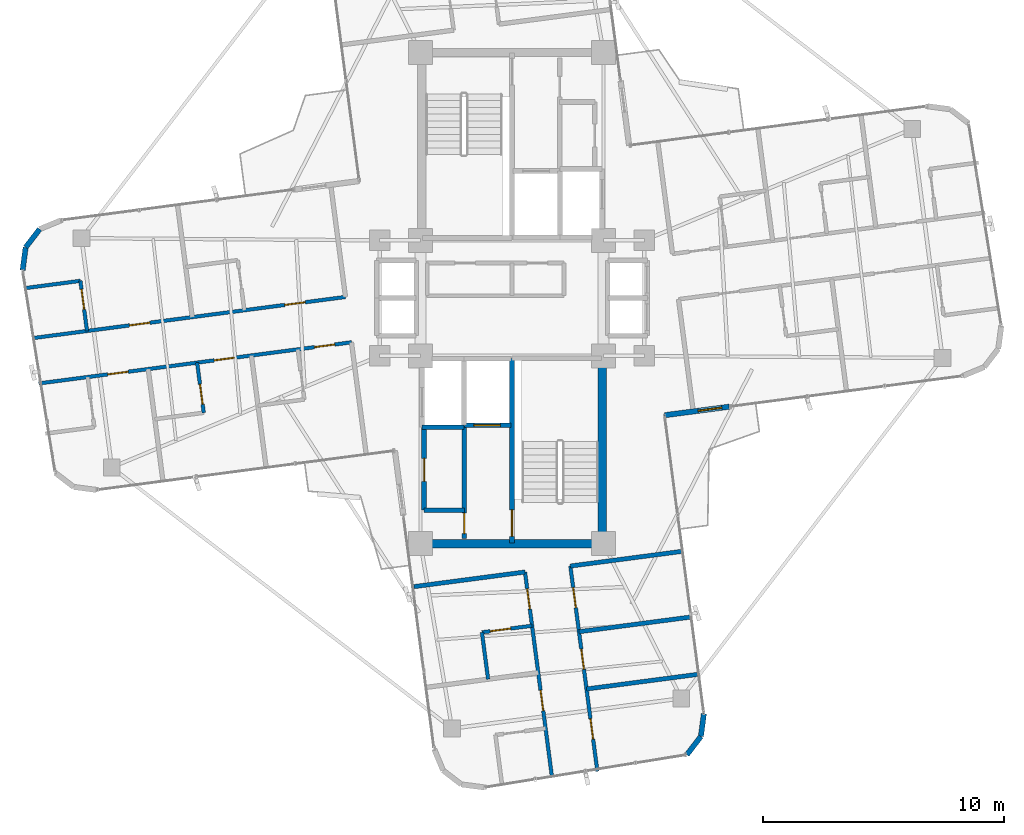
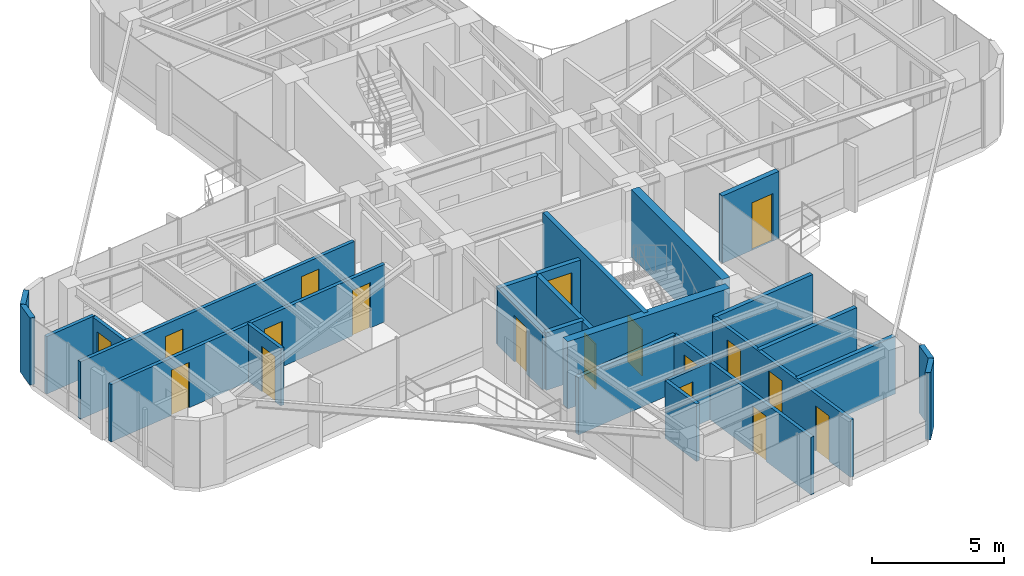
# One storey, part 18 of 22: 26 walls, 18 doors, 18 openings.
"""IFC4 building model written with IfcOpenShell, lengths in metres."""

from ifc_helpers import new_model, si_unit, direction, frame, frame_2d, origin, origin_2d, place, context, subcontext, project, spatial, rectangle, extrude, source, transform, mapped, material, layer, layer_set, type_object, element, fill, save


model = new_model("IFC4")

# Units and contexts
model_context = context("Model", 3, precision=1e-05, world=origin(), true_north=direction((0.0, 1.0)))
body_context = subcontext(model_context, "Body", "Model", "MODEL_VIEW")
ifc_project = project(units=[si_unit("LENGTHUNIT", "METRE"), si_unit("AREAUNIT", "SQUARE_METRE"), si_unit("VOLUMEUNIT", "CUBIC_METRE"), si_unit("PLANEANGLEUNIT", "RADIAN"), si_unit("MASSUNIT", "GRAM", prefix="KILO")], contexts=[model_context])

# Site, building, storey
site_placement = place(None, origin())
site = spatial("IfcSite", under=ifc_project, at=site_placement, CompositionType="ELEMENT")
building_placement = place(site_placement, origin())
building = spatial("IfcBuilding", under=site, at=building_placement, Name="Sahyath Konkavel Grand Hotel", CompositionType="ELEMENT")
storey_placement = place(building_placement, frame((0.0, 0.0, 206.5)))
storey = spatial("IfcBuildingStorey", under=building, at=storey_placement, Name="L57", CompositionType="ELEMENT", Elevation=206.5)

# Walls
ifc_material_1 = material(Name="Concrete C40/50", Category="concrete")
ifc_layer_1 = layer(ifc_material_1, 0.35009765625)
ifc_layer_set_1 = layer_set([ifc_layer_1], Name="Concrete C40/50")
wall_type_1 = type_object("IfcWallType", Name="CWALL-350", PredefinedType="SHEAR", material=ifc_layer_set_1)
wall_1_placement = place(storey_placement, frame((-3.550048828125, -10.199951171875, 0.0), z_axis=(0.0, 0.0, 1.0), x_axis=(1.0, 0.0, 0.0)))
element("IfcWall", 1, at=wall_1_placement, inside=storey, type_object=wall_type_1, Name="L57 South Core Shear Wall S", PredefinedType="SHEAR", context=body_context, shape_type="SweptSolid", body=[
    extrude(rectangle(XDim=7.10009765625, YDim=0.35009765625, at=frame_2d((3.550048828125, 0.0))), origin(), (0.0, 0.0, 1.0), 3.110107421875),
])
wall_2_placement = place(storey_placement, frame((3.739990234375, -9.75, 0.0), z_axis=(0.0, 0.0, 1.0), x_axis=(0.0, 1.0, 0.0)))
element("IfcWall", 2, at=wall_2_placement, inside=storey, type_object=wall_type_1, Name="L57 South Core Shear Wall E", PredefinedType="SHEAR", context=body_context, shape_type="SweptSolid", body=[
    extrude(rectangle(XDim=6.89990234375, YDim=0.35009765625, at=frame_2d((3.449951171875, 0.0))), origin(), (0.0, 0.0, 1.0), 3.110107421875),
])

# Wall, opening, door
ifc_material_2 = material(Name="Warm Buff Sandstone Insulated Concrete C40/50", Category="masonry")
ifc_layer_2 = layer(ifc_material_2, 0.219970703125)
ifc_layer_set_2 = layer_set([ifc_layer_2], Name="Warm Buff Sandstone Insulated Concrete C40/50")
wall_type_2 = type_object("IfcWallType", Name="WLL-BALC-THRESH", PredefinedType="STANDARD", material=ifc_layer_set_2)
wall_3_placement = place(storey_placement, frame((6.339111328125, -4.8642578125, 0.0), z_axis=(0.0, 0.0, 1.0), x_axis=(0.991439824936, 0.130564442062, 0.0)))
wall_3 = element("IfcWall", 3, at=wall_3_placement, inside=storey, type_object=wall_type_2, Name="L57 Winter-Garden Threshold Wall 0", PredefinedType="STANDARD", context=body_context, shape_type="SweptSolid", body=[
    extrude(rectangle(XDim=2.7001953125, YDim=0.219970703125, at=frame_2d((1.35009765625, 0.0))), origin(), (0.0, 0.0, 1.0), 3.110107421875),
])
opening_1_placement = place(wall_3_placement, frame((1.39990234375, 0.0, 0.0)))
opening_1 = element("IfcOpeningElement", 4, at=opening_1_placement, cuts=wall_3, Name="Opening D-TR1", PredefinedType="OPENING", context=body_context, shape_type="SweptSolid", body=[
    extrude(rectangle(XDim=1.0, YDim=2.199951171875, at=frame_2d((0.5, 1.10009765625))), frame((0.0, 0.1201171875, 0.0), z_axis=(0.0, -1.0, 0.0), x_axis=(1.0, 0.0, 0.0)), (0.0, 0.0, 1.0), 0.239990234375),
])
ifc_material_3 = material(Name="Anodised Bronze Aluminium & Low-E Glazing", Category="aluminium")
door_type_1 = type_object("IfcDoorType", Name="DR-TERRACE-1000", OperationType="NOTDEFINED", PredefinedType="DOOR", material=ifc_material_3)
shared_shape_1 = source(origin(), body_context, "Body", "SweptSolid", [
    extrude(rectangle(XDim=1.0, YDim=0.050048828125, at=origin_2d()), origin(), (0.0, 0.0, 1.0), 2.199951171875),
])
door_1_placement = place(opening_1_placement, frame((0.5, 0.0, 0.0)))
door_1 = element("IfcDoor", 5, at=door_1_placement, inside=storey, type_object=door_type_1, Name="L57 Winter-Garden Terrace Door 0", OperationType="SINGLE_SWING_LEFT", OverallHeight=2.199951171875, OverallWidth=1.0, PredefinedType="DOOR", context=body_context, shape_type="MappedRepresentation", body=[
    mapped(shared_shape_1, transform((0.0, 0.0, 0.0), scale=1.0)),
])
fill(opening_1, door_1)

# Walls
for number, where, z_axis, x_axis, name in (
    (6, (-19.616943359375, 2.8662109375, 0.0), (0.0, 0.0, 1.0), (-0.608774010809, -0.793343685778, 0.0), "L57 Rounded Corner Sandstone Pier 18"),
    (7, (-20.199951171875, 2.1064453125, 0.0), (0.0, 0.0, 1.0), (-0.130527053476, -0.991444747987, 0.0), "L57 Rounded Corner Sandstone Pier 19"),
):
    element("IfcWall", number, at=place(storey_placement, frame(where, z_axis=z_axis, x_axis=x_axis)), inside=storey, type_object=wall_type_2, Name=name, PredefinedType="STANDARD", context=body_context, shape_type="SweptSolid", body=[
        extrude(rectangle(XDim=0.957763671875, YDim=0.219970703125, at=frame_2d((0.47900390625, 0.0))), origin(), (0.0, 0.0, 1.0), 3.110107421875),
    ])
wall_4_placement = place(storey_placement, frame((7.2626953125, -18.96630859375, 0.0), z_axis=(0.0, 0.0, 1.0), x_axis=(0.608897151398, 0.793249178392, 0.0)))
element("IfcWall", 8, at=wall_4_placement, inside=storey, type_object=wall_type_2, Name="L57 Rounded Corner Sandstone Pier 29", PredefinedType="STANDARD", context=body_context, shape_type="SweptSolid", body=[
    extrude(rectangle(XDim=0.95751953125, YDim=0.219970703125, at=frame_2d((0.478759765625, 0.0))), origin(), (0.0, 0.0, 1.0), 3.110107421875),
])
wall_5_placement = place(storey_placement, frame((7.845703125, -18.206787109375, 0.0), z_axis=(0.0, 0.0, 1.0), x_axis=(0.130527053476, 0.991444747987, 0.0)))
element("IfcWall", 9, at=wall_5_placement, inside=storey, type_object=wall_type_2, Name="L57 Rounded Corner Sandstone Pier 30", PredefinedType="STANDARD", context=body_context, shape_type="SweptSolid", body=[
    extrude(rectangle(XDim=0.957763671875, YDim=0.219970703125, at=frame_2d((0.47900390625, 0.0))), origin(), (0.0, 0.0, 1.0), 3.110107421875),
])

# Wall, opening, door
ifc_layer_3 = layer(ifc_material_1, 0.199951171875)
ifc_layer_set_3 = layer_set([ifc_layer_3], Name="Concrete C40/50")
wall_type_3 = type_object("IfcWallType", Name="WLL-CORE-200", PredefinedType="SOLIDWALL", material=ifc_layer_set_3)
wall_6_placement = place(storey_placement, frame((0.0, -10.179931640625, 0.0), z_axis=(0.0, 0.0, 1.0), x_axis=(0.0, 1.0, 0.0)))
wall_6 = element("IfcWall", 10, at=wall_6_placement, inside=storey, type_object=wall_type_3, Name="L57 Stair ST-2 Shaft Wall W", PredefinedType="SOLIDWALL", context=body_context, shape_type="SweptSolid", body=[
    extrude(rectangle(XDim=7.679931640625, YDim=0.199951171875, at=frame_2d((3.83984375, 0.0))), origin(), (0.0, 0.0, 1.0), 3.110107421875),
])
opening_2_placement = place(wall_6_placement, frame((0.280029296875, 0.0, 0.0)))
opening_2 = element("IfcOpeningElement", 11, at=opening_2_placement, cuts=wall_6, Name="Opening D-F12B", PredefinedType="OPENING", context=body_context, shape_type="SweptSolid", body=[
    extrude(rectangle(XDim=1.10009765625, YDim=2.14990234375, at=frame_2d((0.550048828125, 1.074951171875))), frame((0.0, 0.10986328125, 0.0), z_axis=(0.0, -1.0, 0.0), x_axis=(1.0, 0.0, 0.0)), (0.0, 0.0, 1.0), 0.219970703125),
])
ifc_material_4 = material(Name="Steel E350 Smokeproof Fire Door", Category="steel")
door_type_2 = type_object("IfcDoorType", Name="DR-FD120-1100", OperationType="NOTDEFINED", PredefinedType="DOOR", material=ifc_material_4)
shared_shape_2 = source(origin(), body_context, "Body", "SweptSolid", [
    extrude(rectangle(XDim=1.10009765625, YDim=0.050048828125, at=origin_2d()), origin(), (0.0, 0.0, 1.0), 2.14990234375),
])
door_2_placement = place(opening_2_placement, frame((0.550048828125, 0.0, 0.0)))
door_2 = element("IfcDoor", 12, at=door_2_placement, inside=storey, type_object=door_type_2, Name="L57 Stair ST-2 Fire Door", OperationType="SINGLE_SWING_RIGHT", OverallHeight=2.14990234375, OverallWidth=1.10009765625, PredefinedType="DOOR", context=body_context, shape_type="MappedRepresentation", body=[
    mapped(shared_shape_2, transform((0.0, 0.0, 0.0), scale=1.0)),
])
fill(opening_2, door_2)

wall_7_placement = place(storey_placement, frame((-1.97998046875, -9.97998046875, 0.0), z_axis=(0.0, 0.0, 1.0), x_axis=(0.0, 1.0, 0.0)))
wall_7 = element("IfcWall", 13, at=wall_7_placement, inside=storey, type_object=wall_type_3, Name="L57 South Firefighting Lobby Wall W", PredefinedType="SOLIDWALL", context=body_context, shape_type="SweptSolid", body=[
    extrude(rectangle(XDim=4.659912109375, YDim=0.199951171875, at=frame_2d((2.330078125, 0.0))), origin(), (0.0, 0.0, 1.0), 2.659912109375),
])
opening_3_placement = place(wall_7_placement, frame((0.199951171875, 0.0, 0.0)))
opening_3 = element("IfcOpeningElement", 14, at=opening_3_placement, cuts=wall_7, Name="Opening D-F12D", PredefinedType="OPENING", context=body_context, shape_type="SweptSolid", body=[
    extrude(rectangle(XDim=0.85009765625, YDim=2.10009765625, at=frame_2d((0.425048828125, 1.050048828125))), frame((0.0, 0.10986328125, 0.0), z_axis=(0.0, -1.0, 0.0), x_axis=(1.0, 0.0, 0.0)), (0.0, 0.0, 1.0), 0.219970703125),
])
ifc_material_5 = material(Name="Steel E350 Core Fire Door", Category="steel")
door_type_3 = type_object("IfcDoorType", Name="DR-FD120-850", OperationType="NOTDEFINED", PredefinedType="DOOR", material=ifc_material_5)
shared_shape_3 = source(origin(), body_context, "Body", "SweptSolid", [
    extrude(rectangle(XDim=0.85009765625, YDim=0.050048828125, at=origin_2d()), origin(), (0.0, 0.0, 1.0), 2.10009765625),
])
door_3_placement = place(opening_3_placement, frame((0.425048828125, 0.0, 0.0)))
door_3 = element("IfcDoor", 15, at=door_3_placement, inside=storey, type_object=door_type_3, Name="L57 South Firefighting Lobby Door", OperationType="SINGLE_SWING_RIGHT", OverallHeight=2.10009765625, OverallWidth=0.85009765625, PredefinedType="DOOR", context=body_context, shape_type="MappedRepresentation", body=[
    mapped(shared_shape_3, transform((0.0, 0.0, 0.0), scale=1.0)),
])
fill(opening_3, door_3)

wall_8_placement = place(storey_placement, frame((-1.97998046875, -5.280029296875, 0.0), z_axis=(0.0, 0.0, 1.0), x_axis=(1.0, 0.0, 0.0)))
wall_8 = element("IfcWall", 16, at=wall_8_placement, inside=storey, type_object=wall_type_3, Name="L57 Partition SH-FFL2-S", PredefinedType="SOLIDWALL", context=body_context, shape_type="SweptSolid", body=[
    extrude(rectangle(XDim=1.929931640625, YDim=0.199951171875, at=frame_2d((0.96484375, 0.0))), origin(), (0.0, 0.0, 1.0), 2.659912109375),
])
opening_4_placement = place(wall_8_placement, frame((0.39990234375, 0.0, 0.0)))
opening_4 = element("IfcOpeningElement", 17, at=opening_4_placement, cuts=wall_8, Name="Opening LD-11", PredefinedType="OPENING", context=body_context, shape_type="SweptSolid", body=[
    extrude(rectangle(XDim=1.10009765625, YDim=2.199951171875, at=frame_2d((0.550048828125, 1.10009765625))), frame((0.0, 0.10986328125, 0.0), z_axis=(0.0, -1.0, 0.0), x_axis=(1.0, 0.0, 0.0)), (0.0, 0.0, 1.0), 0.219970703125),
])
ifc_material_6 = material(Name="Bronze Lift Landing Door 1100")
door_type_4 = type_object("IfcDoorType", Name="DR-LIFT-1100", OperationType="DOUBLE_DOOR_SLIDING", PredefinedType="DOOR", material=ifc_material_6)
shared_shape_4 = source(origin(), body_context, "Body", "SweptSolid", [
    extrude(rectangle(XDim=1.10009765625, YDim=0.050048828125, at=origin_2d()), origin(), (0.0, 0.0, 1.0), 2.199951171875),
])
door_4_placement = place(opening_4_placement, frame((0.550048828125, 0.0, 0.0)))
door_4 = element("IfcDoor", 18, at=door_4_placement, inside=storey, type_object=door_type_4, Name="L57 Lift FFL-2 Landing Door", OperationType="DOUBLE_DOOR_SLIDING", OverallHeight=2.199951171875, OverallWidth=1.10009765625, PredefinedType="DOOR", context=body_context, shape_type="MappedRepresentation", body=[
    mapped(shared_shape_4, transform((0.0, 0.0, 0.0), scale=1.0)),
])
fill(opening_4, door_4)

# Wall
wall_9_placement = place(storey_placement, frame((-3.739990234375, -5.360107421875, 0.0), z_axis=(0.0, 0.0, 1.0), x_axis=(1.0, 0.0, 0.0)))
element("IfcWall", 19, at=wall_9_placement, inside=storey, type_object=wall_type_3, Name="L57 Partition SH-SVL2-S", PredefinedType="SOLIDWALL", context=body_context, shape_type="SweptSolid", body=[
    extrude(rectangle(XDim=1.739990234375, YDim=0.199951171875, at=frame_2d((0.8701171875, 0.0))), origin(), (0.0, 0.0, 1.0), 2.659912109375),
])

# Wall, opening, door
wall_10_placement = place(storey_placement, frame((-3.64990234375, -8.81005859375, 0.0), z_axis=(0.0, 0.0, 1.0), x_axis=(0.0, 1.0, 0.0)))
wall_10 = element("IfcWall", 20, at=wall_10_placement, inside=storey, type_object=wall_type_3, Name="L57 Reclaimed South Core Wall W", PredefinedType="SOLIDWALL", context=body_context, shape_type="SweptSolid", body=[
    extrude(rectangle(XDim=3.43017578125, YDim=0.199951171875, at=frame_2d((1.715087890625, 0.0))), origin(), (0.0, 0.0, 1.0), 2.659912109375),
])
opening_5_placement = place(wall_10_placement, frame((1.199951171875, 0.0, 0.0)))
opening_5 = element("IfcOpeningElement", 21, at=opening_5_placement, cuts=wall_10, Name="Opening D-AC95", PredefinedType="OPENING", context=body_context, shape_type="SweptSolid", body=[
    extrude(rectangle(XDim=0.949951171875, YDim=2.14990234375, at=frame_2d((0.47509765625, 1.074951171875))), frame((0.0, 0.10986328125, 0.0), z_axis=(0.0, -1.0, 0.0), x_axis=(1.0, 0.0, 0.0)), (0.0, 0.0, 1.0), 0.219970703125),
])
ifc_material_7 = material(Name="Accessible Washroom Timber Door", Category="wood")
door_type_5 = type_object("IfcDoorType", Name="DR-ACC-950", OperationType="NOTDEFINED", PredefinedType="DOOR", material=ifc_material_7)
shared_shape_5 = source(origin(), body_context, "Body", "SweptSolid", [
    extrude(rectangle(XDim=0.949951171875, YDim=0.050048828125, at=origin_2d()), origin(), (0.0, 0.0, 1.0), 2.14990234375),
])
door_5_placement = place(opening_5_placement, frame((0.47509765625, 0.0, 0.0)))
door_5 = element("IfcDoor", 22, at=door_5_placement, inside=storey, type_object=door_type_5, Name="L57 Door SC-REC1-D", OperationType="SINGLE_SWING_RIGHT", OverallHeight=2.14990234375, OverallWidth=0.949951171875, PredefinedType="DOOR", context=body_context, shape_type="MappedRepresentation", body=[
    mapped(shared_shape_5, transform((0.0, 0.0, 0.0), scale=1.0)),
])
fill(opening_5, door_5)

# Walls
wall_11_placement = place(storey_placement, frame((-3.64990234375, -8.81005859375, 0.0), z_axis=(0.0, 0.0, 1.0), x_axis=(1.0, 0.0, 0.0)))
element("IfcWall", 23, at=wall_11_placement, inside=storey, type_object=wall_type_3, Name="L57 Partition SC-REC-S", PredefinedType="SOLIDWALL", context=body_context, shape_type="SweptSolid", body=[
    extrude(rectangle(XDim=1.669921875, YDim=0.199951171875, at=frame_2d((0.8349609375, 0.0))), origin(), (0.0, 0.0, 1.0), 2.659912109375),
])
ifc_material_8 = material(Name="Twin-Stud Acoustic Gypsum Plasterboard Partition")
ifc_layer_4 = layer(ifc_material_8, 0.179931640625)
ifc_layer_set_4 = layer_set([ifc_layer_4], Name="Twin-Stud Acoustic Gypsum Plasterboard Partition")
wall_type_4 = type_object("IfcWallType", Name="WLL-DEMISE-180", PredefinedType="PARTITIONING", material=ifc_layer_set_4)
wall_12_placement = place(storey_placement, frame((2.42333984375, -11.12890625, 0.0), z_axis=(0.0, 0.0, 1.0), x_axis=(0.991445715827, 0.13051970184, 0.0)))
element("IfcWall", 24, at=wall_12_placement, inside=storey, type_object=wall_type_4, Name="L57 Partition S-INL", PredefinedType="PARTITIONING", context=body_context, shape_type="SweptSolid", body=[
    extrude(rectangle(XDim=4.650146484375, YDim=0.179931640625, at=frame_2d((2.3251953125, 0.0))), origin(), (0.0, 0.0, 1.0), 2.659912109375),
])
for number, where, z_axis, x_axis, name in (
    (25, (-4.070556640625, -11.98388671875, 0.0), (0.0, 0.0, 1.0), (0.991444821367, 0.130526496103, 0.0), "L57 Partition S-INR"),
    (26, (2.78271484375, -13.857421875, 0.0), (0.0, 0.0, 1.0), (0.991444821367, 0.130526496103, 0.0), "L57 Partition S-S1L-DEM"),
    (27, (3.095703125, -16.23486328125, 0.0), (0.0, 0.0, 1.0), (0.991444821367, 0.130526496103, 0.0), "L57 Partition S-S2L-DEM"),
):
    element("IfcWall", number, at=place(storey_placement, frame(where, z_axis=z_axis, x_axis=x_axis)), inside=storey, type_object=wall_type_4, Name=name, PredefinedType="PARTITIONING", context=body_context, shape_type="SweptSolid", body=[
        extrude(rectangle(XDim=4.64990234375, YDim=0.179931640625, at=frame_2d((2.324951171875, 0.0))), origin(), (0.0, 0.0, 1.0), 2.659912109375),
    ])

# Wall, openings, doors
ifc_material_9 = material(Name="Fire-Rated Gypsum Plasterboard Partition")
ifc_layer_5 = layer(ifc_material_9, 0.14990234375)
ifc_layer_set_5 = layer_set([ifc_layer_5], Name="Fire-Rated Gypsum Plasterboard Partition")
wall_type_5 = type_object("IfcWallType", Name="WLL-PART-150", PredefinedType="PARTITIONING", material=ifc_layer_set_5)
wall_13_placement = place(storey_placement, frame((-6.66748046875, -1.8359375, 0.0), z_axis=(0.0, 0.0, 1.0), x_axis=(-0.991444016182, -0.130532611928, 0.0)))
wall_13 = element("IfcWall", 28, at=wall_13_placement, inside=storey, type_object=wall_type_5, Name="L57 Partition W-CL", PredefinedType="PARTITIONING", context=body_context, shape_type="SweptSolid", body=[
    extrude(rectangle(XDim=13.099853515625, YDim=0.14990234375, at=frame_2d((6.5498046875, 0.0))), origin(), (0.0, 0.0, 1.0), 2.659912109375),
])
opening_6_placement = place(wall_13_placement, frame((0.699951171875, 0.0, 0.0)))
opening_6 = element("IfcOpeningElement", 29, at=opening_6_placement, cuts=wall_13, Name="Opening D-F06D", PredefinedType="OPENING", context=body_context, shape_type="SweptSolid", body=[
    extrude(rectangle(XDim=0.85009765625, YDim=2.10009765625, at=frame_2d((0.425048828125, 1.050048828125))), frame((0.0, 0.0849609375, 0.0), z_axis=(0.0, -1.0, 0.0), x_axis=(1.0, 0.0, 0.0)), (0.0, 0.0, 1.0), 0.169921875),
])
opening_7_placement = place(wall_13_placement, frame((4.904052734375, 0.0, 0.0)))
opening_7 = element("IfcOpeningElement", 30, at=opening_7_placement, cuts=wall_13, Name="Opening D-F06D", PredefinedType="OPENING", context=body_context, shape_type="SweptSolid", body=[
    extrude(rectangle(XDim=0.85009765625, YDim=2.10009765625, at=frame_2d((0.425048828125, 1.050048828125))), frame((0.0, 0.0849609375, 0.0), z_axis=(0.0, -1.0, 0.0), x_axis=(1.0, 0.0, 0.0)), (0.0, 0.0, 1.0), 0.169921875),
])
opening_8_placement = place(wall_13_placement, frame((9.35693359375, 0.0, 0.0)))
opening_8 = element("IfcOpeningElement", 31, at=opening_8_placement, cuts=wall_13, Name="Opening D-F06D", PredefinedType="OPENING", context=body_context, shape_type="SweptSolid", body=[
    extrude(rectangle(XDim=0.85009765625, YDim=2.10009765625, at=frame_2d((0.425048828125, 1.050048828125))), frame((0.0, 0.0849609375, 0.0), z_axis=(0.0, -1.0, 0.0), x_axis=(1.0, 0.0, 0.0)), (0.0, 0.0, 1.0), 0.169921875),
])
ifc_material_10 = material(Name="Fire-Rated Shaft Access Door")
door_type_6 = type_object("IfcDoorType", Name="DR-FD60-850", OperationType="NOTDEFINED", PredefinedType="DOOR", material=ifc_material_10)
door_6_placement = place(opening_6_placement, frame((0.425048828125, 0.0, 0.0)))
door_6 = element("IfcDoor", 32, at=door_6_placement, inside=storey, type_object=door_type_6, Name="L57 Door W-W1L-ED", OperationType="SINGLE_SWING_LEFT", OverallHeight=2.10009765625, OverallWidth=0.85009765625, PredefinedType="DOOR", context=body_context, shape_type="MappedRepresentation", body=[
    mapped(shared_shape_3, transform((0.0, 0.0, 0.0), scale=1.0)),
])
fill(opening_6, door_6)
door_7_placement = place(opening_7_placement, frame((0.425048828125, 0.0, 0.0)))
door_7 = element("IfcDoor", 33, at=door_7_placement, inside=storey, type_object=door_type_6, Name="L57 Door W-W2L-ED", OperationType="SINGLE_SWING_LEFT", OverallHeight=2.10009765625, OverallWidth=0.85009765625, PredefinedType="DOOR", context=body_context, shape_type="MappedRepresentation", body=[
    mapped(shared_shape_3, transform((0.0, 0.0, 0.0), scale=1.0)),
])
fill(opening_7, door_7)
door_8_placement = place(opening_8_placement, frame((0.425048828125, 0.0, 0.0)))
door_8 = element("IfcDoor", 34, at=door_8_placement, inside=storey, type_object=door_type_6, Name="L57 Door W-W3L-ED", OperationType="SINGLE_SWING_LEFT", OverallHeight=2.10009765625, OverallWidth=0.85009765625, PredefinedType="DOOR", context=body_context, shape_type="MappedRepresentation", body=[
    mapped(shared_shape_3, transform((0.0, 0.0, 0.0), scale=1.0)),
])
fill(opening_8, door_8)

wall_14_placement = place(storey_placement, frame((-6.915283203125, 0.0478515625, 0.0), z_axis=(0.0, 0.0, 1.0), x_axis=(-0.991444333722, -0.130530200068, 0.0)))
wall_14 = element("IfcWall", 35, at=wall_14_placement, inside=storey, type_object=wall_type_5, Name="L57 Partition W-CR", PredefinedType="PARTITIONING", context=body_context, shape_type="SweptSolid", body=[
    extrude(rectangle(XDim=13.10009765625, YDim=0.14990234375, at=frame_2d((6.550048828125, 0.0))), origin(), (0.0, 0.0, 1.0), 2.659912109375),
])
opening_9_placement = place(wall_14_placement, frame((1.693115234375, 0.0, 0.0)))
opening_9 = element("IfcOpeningElement", 36, at=opening_9_placement, cuts=wall_14, Name="Opening D-F06D", PredefinedType="OPENING", context=body_context, shape_type="SweptSolid", body=[
    extrude(rectangle(XDim=0.85009765625, YDim=2.10009765625, at=frame_2d((0.425048828125, 1.050048828125))), frame((0.0, 0.0849609375, 0.0), z_axis=(0.0, -1.0, 0.0), x_axis=(1.0, 0.0, 0.0)), (0.0, 0.0, 1.0), 0.169921875),
])
opening_10_placement = place(wall_14_placement, frame((8.198974609375, 0.0, 0.0)))
opening_10 = element("IfcOpeningElement", 37, at=opening_10_placement, cuts=wall_14, Name="Opening D-F06D", PredefinedType="OPENING", context=body_context, shape_type="SweptSolid", body=[
    extrude(rectangle(XDim=0.85009765625, YDim=2.10009765625, at=frame_2d((0.425048828125, 1.050048828125))), frame((0.0, 0.0849609375, 0.0), z_axis=(0.0, -1.0, 0.0), x_axis=(1.0, 0.0, 0.0)), (0.0, 0.0, 1.0), 0.169921875),
])
door_9_placement = place(opening_9_placement, frame((0.425048828125, 0.0, 0.0)))
door_9 = element("IfcDoor", 38, at=door_9_placement, inside=storey, type_object=door_type_6, Name="L57 Door W-W1R-ED", OperationType="SINGLE_SWING_LEFT", OverallHeight=2.10009765625, OverallWidth=0.85009765625, PredefinedType="DOOR", context=body_context, shape_type="MappedRepresentation", body=[
    mapped(shared_shape_3, transform((0.0, 0.0, 0.0), scale=1.0)),
])
fill(opening_9, door_9)
door_10_placement = place(opening_10_placement, frame((0.425048828125, 0.0, 0.0)))
door_10 = element("IfcDoor", 39, at=door_10_placement, inside=storey, type_object=door_type_6, Name="L57 Door W-W2R-ED", OperationType="SINGLE_SWING_LEFT", OverallHeight=2.10009765625, OverallWidth=0.85009765625, PredefinedType="DOOR", context=body_context, shape_type="MappedRepresentation", body=[
    mapped(shared_shape_3, transform((0.0, 0.0, 0.0), scale=1.0)),
])
fill(opening_10, door_10)

# Wall, opening, door
wall_15_placement = place(storey_placement, frame((-13.0771484375, -2.6796875, 0.0), z_axis=(0.0, 0.0, 1.0), x_axis=(0.130541714651, -0.991442817683, 0.0)))
wall_15 = element("IfcWall", 40, at=wall_15_placement, inside=storey, type_object=wall_type_5, Name="L57 Partition W-W2L-BS", PredefinedType="PARTITIONING", context=body_context, shape_type="SweptSolid", body=[
    extrude(rectangle(XDim=2.100341796875, YDim=0.14990234375, at=frame_2d((1.05029296875, 0.0))), origin(), (0.0, 0.0, 1.0), 2.659912109375),
])
opening_11_placement = place(wall_15_placement, frame((0.89990234375, 0.0, 0.0)))
opening_11 = element("IfcOpeningElement", 41, at=opening_11_placement, cuts=wall_15, Name="Opening D-BT85", PredefinedType="OPENING", context=body_context, shape_type="SweptSolid", body=[
    extrude(rectangle(XDim=0.85009765625, YDim=2.10009765625, at=frame_2d((0.425048828125, 1.050048828125))), frame((0.0, 0.0849609375, 0.0), z_axis=(0.0, -1.0, 0.0), x_axis=(1.0, 0.0, 0.0)), (0.0, 0.0, 1.0), 0.169921875),
])
ifc_material_11 = material(Name="Moisture-Resistant Teak Bathroom Door")
door_type_7 = type_object("IfcDoorType", Name="DR-BATH-850", OperationType="NOTDEFINED", PredefinedType="DOOR", material=ifc_material_11)
door_11_placement = place(opening_11_placement, frame((0.425048828125, 0.0, 0.0)))
door_11 = element("IfcDoor", 42, at=door_11_placement, inside=storey, type_object=door_type_7, Name="L57 Door W-W2L-BD", OperationType="SINGLE_SWING_RIGHT", OverallHeight=2.10009765625, OverallWidth=0.85009765625, PredefinedType="DOOR", context=body_context, shape_type="MappedRepresentation", body=[
    mapped(shared_shape_3, transform((0.0, 0.0, 0.0), scale=1.0)),
])
fill(opening_11, door_11)

wall_16_placement = place(storey_placement, frame((-17.65087890625, -1.365478515625, 0.0), z_axis=(0.0, 0.0, 1.0), x_axis=(-0.13044248305, 0.9914558783, 0.0)))
wall_16 = element("IfcWall", 43, at=wall_16_placement, inside=storey, type_object=wall_type_5, Name="L57 Partition W-W2R-BS", PredefinedType="PARTITIONING", context=body_context, shape_type="SweptSolid", body=[
    extrude(rectangle(XDim=2.099853515625, YDim=0.14990234375, at=frame_2d((1.0498046875, 0.0))), origin(), (0.0, 0.0, 1.0), 2.6298828125),
])
opening_12_placement = place(wall_16_placement, frame((0.89990234375, 0.0, 0.0)))
opening_12 = element("IfcOpeningElement", 44, at=opening_12_placement, cuts=wall_16, Name="Opening D-BT85", PredefinedType="OPENING", context=body_context, shape_type="SweptSolid", body=[
    extrude(rectangle(XDim=0.85009765625, YDim=2.10009765625, at=frame_2d((0.425048828125, 1.050048828125))), frame((0.0, 0.0849609375, 0.0), z_axis=(0.0, -1.0, 0.0), x_axis=(1.0, 0.0, 0.0)), (0.0, 0.0, 1.0), 0.169921875),
])
door_12_placement = place(opening_12_placement, frame((0.425048828125, 0.0, 0.0)))
door_12 = element("IfcDoor", 45, at=door_12_placement, inside=storey, type_object=door_type_7, Name="L57 Door W-W2R-BD", OperationType="SINGLE_SWING_RIGHT", OverallHeight=2.10009765625, OverallWidth=0.85009765625, PredefinedType="DOOR", context=body_context, shape_type="MappedRepresentation", body=[
    mapped(shared_shape_3, transform((0.0, 0.0, 0.0), scale=1.0)),
])
fill(opening_12, door_12)

# Wall
wall_17_placement = place(storey_placement, frame((-17.9248046875, 0.716552734375, 0.0), z_axis=(0.0, 0.0, 1.0), x_axis=(-0.991441490391, -0.130551794822, 0.0)))
element("IfcWall", 46, at=wall_17_placement, inside=storey, type_object=wall_type_5, Name="L57 Partition W-W2R-BF", PredefinedType="PARTITIONING", context=body_context, shape_type="SweptSolid", body=[
    extrude(rectangle(XDim=2.272216796875, YDim=0.14990234375, at=frame_2d((1.13623046875, 0.0))), origin(), (0.0, 0.0, 1.0), 2.659912109375),
])

# Wall, openings, doors
wall_18_placement = place(storey_placement, frame((2.42333984375, -11.12890625, 0.0), z_axis=(0.0, 0.0, 1.0), x_axis=(0.130530885115, -0.991444243531, 0.0)))
wall_18 = element("IfcWall", 47, at=wall_18_placement, inside=storey, type_object=wall_type_5, Name="L57 Partition S-CL", PredefinedType="PARTITIONING", context=body_context, shape_type="SweptSolid", body=[
    extrude(rectangle(XDim=8.599853515625, YDim=0.14990234375, at=frame_2d((4.2998046875, 0.0))), origin(), (0.0, 0.0, 1.0), 2.659912109375),
])
opening_13_placement = place(wall_18_placement, frame((0.90087890625, 0.0, 0.0)))
opening_13 = element("IfcOpeningElement", 48, at=opening_13_placement, cuts=wall_18, Name="Opening D-F06D", PredefinedType="OPENING", context=body_context, shape_type="SweptSolid", body=[
    extrude(rectangle(XDim=0.85009765625, YDim=2.10009765625, at=frame_2d((0.425048828125, 1.050048828125))), frame((0.0, 0.0849609375, 0.0), z_axis=(0.0, -1.0, 0.0), x_axis=(1.0, 0.0, 0.0)), (0.0, 0.0, 1.0), 0.169921875),
])
opening_14_placement = place(wall_18_placement, frame((3.47607421875, 0.0, 0.0)))
opening_14 = element("IfcOpeningElement", 49, at=opening_14_placement, cuts=wall_18, Name="Opening D-F06D", PredefinedType="OPENING", context=body_context, shape_type="SweptSolid", body=[
    extrude(rectangle(XDim=0.85009765625, YDim=2.10009765625, at=frame_2d((0.425048828125, 1.050048828125))), frame((0.0, 0.0849609375, 0.0), z_axis=(0.0, -1.0, 0.0), x_axis=(1.0, 0.0, 0.0)), (0.0, 0.0, 1.0), 0.169921875),
])
opening_15_placement = place(wall_18_placement, frame((6.39990234375, 0.0, 0.0)))
opening_15 = element("IfcOpeningElement", 50, at=opening_15_placement, cuts=wall_18, Name="Opening D-F06D", PredefinedType="OPENING", context=body_context, shape_type="SweptSolid", body=[
    extrude(rectangle(XDim=0.85009765625, YDim=2.10009765625, at=frame_2d((0.425048828125, 1.050048828125))), frame((0.0, 0.0849609375, 0.0), z_axis=(0.0, -1.0, 0.0), x_axis=(1.0, 0.0, 0.0)), (0.0, 0.0, 1.0), 0.169921875),
])
door_13_placement = place(opening_13_placement, frame((0.425048828125, 0.0, 0.0)))
door_13 = element("IfcDoor", 51, at=door_13_placement, inside=storey, type_object=door_type_6, Name="L57 Door S-S1L-D", OperationType="SINGLE_SWING_RIGHT", OverallHeight=2.10009765625, OverallWidth=0.85009765625, PredefinedType="DOOR", context=body_context, shape_type="MappedRepresentation", body=[
    mapped(shared_shape_3, transform((0.0, 0.0, 0.0), scale=1.0)),
])
fill(opening_13, door_13)
door_14_placement = place(opening_14_placement, frame((0.425048828125, 0.0, 0.0)))
door_14 = element("IfcDoor", 52, at=door_14_placement, inside=storey, type_object=door_type_6, Name="L57 Door S-S2L-D", OperationType="SINGLE_SWING_LEFT", OverallHeight=2.10009765625, OverallWidth=0.85009765625, PredefinedType="DOOR", context=body_context, shape_type="MappedRepresentation", body=[
    mapped(shared_shape_3, transform((0.0, 0.0, 0.0), scale=1.0)),
])
fill(opening_14, door_14)
door_15_placement = place(opening_15_placement, frame((0.425048828125, 0.0, 0.0)))
door_15 = element("IfcDoor", 53, at=door_15_placement, inside=storey, type_object=door_type_6, Name="L57 Door S-S3L-D", OperationType="SINGLE_SWING_RIGHT", OverallHeight=2.10009765625, OverallWidth=0.85009765625, PredefinedType="DOOR", context=body_context, shape_type="MappedRepresentation", body=[
    mapped(shared_shape_3, transform((0.0, 0.0, 0.0), scale=1.0)),
])
fill(opening_15, door_15)

wall_19_placement = place(storey_placement, frame((0.53955078125, -11.376953125, 0.0), z_axis=(0.0, 0.0, 1.0), x_axis=(0.130530885115, -0.991444243531, 0.0)))
wall_19 = element("IfcWall", 54, at=wall_19_placement, inside=storey, type_object=wall_type_5, Name="L57 Partition S-CR", PredefinedType="PARTITIONING", context=body_context, shape_type="SweptSolid", body=[
    extrude(rectangle(XDim=8.599853515625, YDim=0.14990234375, at=frame_2d((4.2998046875, 0.0))), origin(), (0.0, 0.0, 1.0), 2.659912109375),
])
opening_16_placement = place(wall_19_placement, frame((0.699951171875, 0.0, 0.0)))
opening_16 = element("IfcOpeningElement", 55, at=opening_16_placement, cuts=wall_19, Name="Opening D-F06D", PredefinedType="OPENING", context=body_context, shape_type="SweptSolid", body=[
    extrude(rectangle(XDim=0.85009765625, YDim=2.10009765625, at=frame_2d((0.425048828125, 1.050048828125))), frame((0.0, 0.0849609375, 0.0), z_axis=(0.0, -1.0, 0.0), x_axis=(1.0, 0.0, 0.0)), (0.0, 0.0, 1.0), 0.169921875),
])
opening_17_placement = place(wall_19_placement, frame((4.95703125, 0.0, 0.0)))
opening_17 = element("IfcOpeningElement", 56, at=opening_17_placement, cuts=wall_19, Name="Opening D-F06D", PredefinedType="OPENING", context=body_context, shape_type="SweptSolid", body=[
    extrude(rectangle(XDim=0.85009765625, YDim=2.10009765625, at=frame_2d((0.425048828125, 1.050048828125))), frame((0.0, 0.0849609375, 0.0), z_axis=(0.0, -1.0, 0.0), x_axis=(1.0, 0.0, 0.0)), (0.0, 0.0, 1.0), 0.169921875),
])
door_16_placement = place(opening_16_placement, frame((0.425048828125, 0.0, 0.0)))
door_16 = element("IfcDoor", 57, at=door_16_placement, inside=storey, type_object=door_type_6, Name="L57 Door S-S1R-ED", OperationType="SINGLE_SWING_RIGHT", OverallHeight=2.10009765625, OverallWidth=0.85009765625, PredefinedType="DOOR", context=body_context, shape_type="MappedRepresentation", body=[
    mapped(shared_shape_3, transform((0.0, 0.0, 0.0), scale=1.0)),
])
fill(opening_16, door_16)
door_17_placement = place(opening_17_placement, frame((0.425048828125, 0.0, 0.0)))
door_17 = element("IfcDoor", 58, at=door_17_placement, inside=storey, type_object=door_type_6, Name="L57 Door S-S2R-ED", OperationType="SINGLE_SWING_RIGHT", OverallHeight=2.10009765625, OverallWidth=0.85009765625, PredefinedType="DOOR", context=body_context, shape_type="MappedRepresentation", body=[
    mapped(shared_shape_3, transform((0.0, 0.0, 0.0), scale=1.0)),
])
fill(opening_17, door_17)

# Wall, opening, door
wall_20_placement = place(storey_placement, frame((0.833251953125, -13.607666015625, 0.0), z_axis=(0.0, 0.0, 1.0), x_axis=(-0.991440836415, -0.130556761174, 0.0)))
wall_20 = element("IfcWall", 59, at=wall_20_placement, inside=storey, type_object=wall_type_5, Name="L57 Partition S-S1R-BS", PredefinedType="PARTITIONING", context=body_context, shape_type="SweptSolid", body=[
    extrude(rectangle(XDim=2.10009765625, YDim=0.14990234375, at=frame_2d((1.050048828125, 0.0))), origin(), (0.0, 0.0, 1.0), 2.659912109375),
])
opening_18_placement = place(wall_20_placement, frame((0.89990234375, 0.0, 0.0)))
opening_18 = element("IfcOpeningElement", 60, at=opening_18_placement, cuts=wall_20, Name="Opening D-BT85", PredefinedType="OPENING", context=body_context, shape_type="SweptSolid", body=[
    extrude(rectangle(XDim=0.85009765625, YDim=2.10009765625, at=frame_2d((0.425048828125, 1.050048828125))), frame((0.0, 0.0849609375, 0.0), z_axis=(0.0, -1.0, 0.0), x_axis=(1.0, 0.0, 0.0)), (0.0, 0.0, 1.0), 0.169921875),
])
door_18_placement = place(opening_18_placement, frame((0.425048828125, 0.0, 0.0)))
door_18 = element("IfcDoor", 61, at=door_18_placement, inside=storey, type_object=door_type_7, Name="L57 Door S-S1R-BD", OperationType="SINGLE_SWING_LEFT", OverallHeight=2.10009765625, OverallWidth=0.85009765625, PredefinedType="DOOR", context=body_context, shape_type="MappedRepresentation", body=[
    mapped(shared_shape_3, transform((0.0, 0.0, 0.0), scale=1.0)),
])
fill(opening_18, door_18)

# Wall
wall_21_placement = place(storey_placement, frame((-1.248779296875, -13.8818359375, 0.0), z_axis=(0.0, 0.0, 1.0), x_axis=(0.130518821872, -0.991445831671, 0.0)))
element("IfcWall", 62, at=wall_21_placement, inside=storey, type_object=wall_type_5, Name="L57 Partition S-S1R-BF", PredefinedType="PARTITIONING", context=body_context, shape_type="SweptSolid", body=[
    extrude(rectangle(XDim=1.964111328125, YDim=0.14990234375, at=frame_2d((0.98193359375, 0.0))), origin(), (0.0, 0.0, 1.0), 2.659912109375),
])

save(model, "model.ifc")
